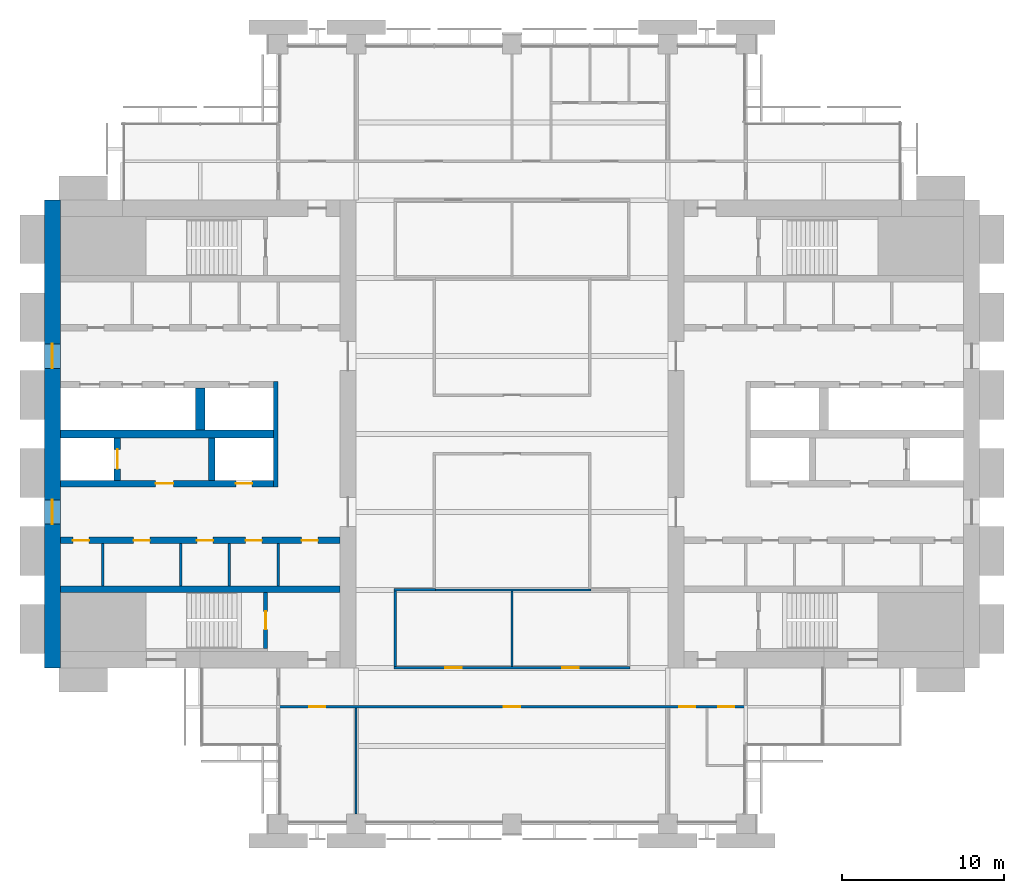
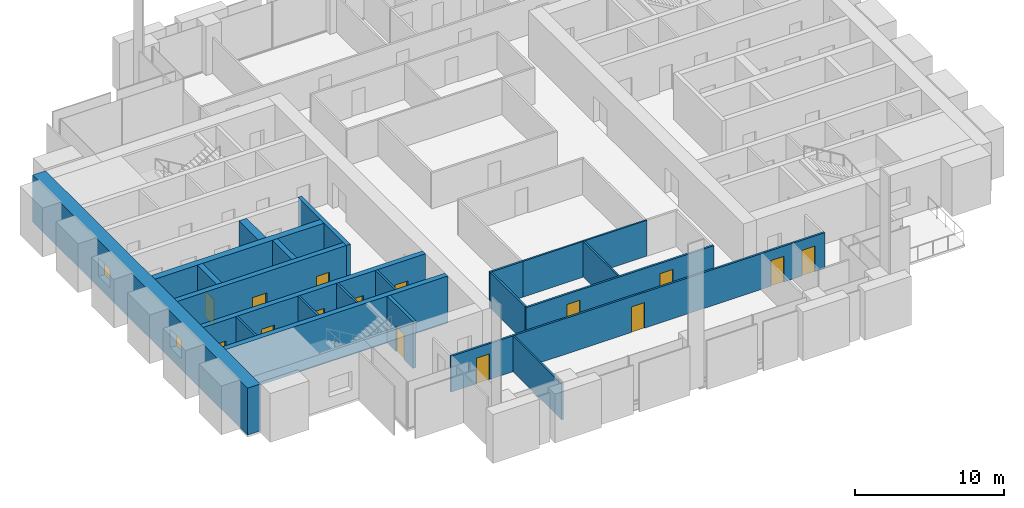
# One storey, part 9 of 14: 21 walls, 15 doors, 2 windows, 17 openings.
"""IFC4 building model written with IfcOpenShell, lengths in metres."""

from ifc_helpers import new_model, si_unit, direction, frame, frame_2d, origin, place, context, subcontext, project, spatial, rectangle, extrude, material, layer, layer_set, type_object, element, fill, save


model = new_model("IFC4")

# Units and contexts
model_context = context("Model", 3, precision=1e-05, world=origin(), true_north=direction((0.0, 1.0)))
body_context = subcontext(model_context, "Body", "Model", "MODEL_VIEW")
ifc_project = project(units=[si_unit("LENGTHUNIT", "METRE"), si_unit("AREAUNIT", "SQUARE_METRE"), si_unit("VOLUMEUNIT", "CUBIC_METRE"), si_unit("PLANEANGLEUNIT", "RADIAN"), si_unit("MASSUNIT", "GRAM", prefix="KILO")], contexts=[model_context])

# Site, building, storey
site_placement = place(None, origin())
site = spatial("IfcSite", under=ifc_project, at=site_placement, CompositionType="ELEMENT")
building_placement = place(site_placement, origin())
building = spatial("IfcBuilding", under=site, at=building_placement, Name="Baori Bourse Tower", CompositionType="ELEMENT")
storey_placement = place(building_placement, frame((0.0, 0.0, 120.10009765625)))
storey = spatial("IfcBuildingStorey", under=building, at=storey_placement, Name="L25", CompositionType="ELEMENT", Elevation=120.10009765625)

# Walls
ifc_material_1 = material(Name="Blockwork partition", Category="masonry")
ifc_layer_1 = layer(ifc_material_1, 0.14990234375)
ifc_layer_set_1 = layer_set([ifc_layer_1], Name="Core partition 150")
wall_type_1 = type_object("IfcWallType", Name="Core partition 150", PredefinedType="PARTITIONING", material=ifc_layer_set_1)
for number, where, z_axis, x_axis, name in (
    (1, (3.60009765625, 14.64990234375, 0.0), (0.0, 0.0, 1.0), (0.0, 1.0, 0.0), "Partition wall W10"),
    (2, (8.39990234375, 14.64990234375, 0.0), (0.0, 0.0, 1.0), (0.0, 1.0, 0.0), "Partition wall W11"),
    (3, (11.39990234375, 14.64990234375, 0.0), (0.0, 0.0, 1.0), (0.0, 1.0, 0.0), "Partition wall W12"),
    (4, (14.39990234375, 14.64990234375, 0.0), (0.0, 0.0, 1.0), (0.0, 1.0, 0.0), "Partition wall W13"),
):
    element("IfcWall", number, at=place(storey_placement, frame(where, z_axis=z_axis, x_axis=x_axis)), inside=storey, type_object=wall_type_1, Name=name, PredefinedType="PARTITIONING", context=body_context, shape_type="SweptSolid", body=[
        extrude(rectangle(XDim=2.60009765625, YDim=0.14990234375, at=frame_2d((1.300048828125, 0.0))), origin(), (0.0, 0.0, 1.0), 3.83984375),
    ])

# Wall, openings, windows
ifc_material_2 = material(Name="Concrete f'c 60 MPa", Category="concrete")
ifc_layer_2 = layer(ifc_material_2, 1.0)
ifc_layer_set_2 = layer_set([ifc_layer_2], Name="Core wall 1000 f'c 60")
wall_type_2 = type_object("IfcWallType", Name="Core wall 1000 f'c 60", PredefinedType="SHEAR", material=ifc_layer_set_2)
wall_1_placement = place(storey_placement, frame((0.5, 9.60009765625, 0.0), z_axis=(0.0, 0.0, 1.0), x_axis=(0.0, 1.0, 0.0)))
wall_1 = element("IfcWall", 5, at=wall_1_placement, inside=storey, type_object=wall_type_2, Name="Core wall W01", PredefinedType="SHEAR", context=body_context, shape_type="SweptSolid", body=[
    extrude(rectangle(XDim=28.7998046875, YDim=1.0, at=frame_2d((14.39990234375, 0.0))), origin(), (0.0, 0.0, 1.0), 3.83984375),
])
opening_1_placement = place(wall_1_placement, frame((8.85009765625, 0.0, 0.89990234375)))
opening_1 = element("IfcOpeningElement", 6, at=opening_1_placement, cuts=wall_1, Name="Opening L25-KW101", PredefinedType="OPENING", context=body_context, shape_type="SweptSolid", body=[
    extrude(rectangle(XDim=1.5, YDim=1.5, at=frame_2d((0.75, 0.75))), frame((0.0, 0.510009765625, 0.0), z_axis=(0.0, -1.0, 0.0), x_axis=(1.0, 0.0, 0.0)), (0.0, 0.0, 1.0), 1.02001953125),
])
opening_2_placement = place(wall_1_placement, frame((18.449951171875, 0.0, 0.89990234375)))
opening_2 = element("IfcOpeningElement", 7, at=opening_2_placement, cuts=wall_1, Name="Opening L25-KW102", PredefinedType="OPENING", context=body_context, shape_type="SweptSolid", body=[
    extrude(rectangle(XDim=1.5, YDim=1.5, at=frame_2d((0.75, 0.75))), frame((0.0, 0.510009765625, 0.0), z_axis=(0.0, -1.0, 0.0), x_axis=(1.0, 0.0, 0.0)), (0.0, 0.0, 1.0), 1.02001953125),
])
ifc_material_3 = material(Name="Pale anodised aluminium", Category="aluminium")
window_type = type_object("IfcWindowType", Name="Lobby window 1500 x 1500", PartitioningType="SINGLE_PANEL", PredefinedType="WINDOW", material=ifc_material_3)
window_1_placement = place(opening_1_placement, origin())
window_1 = element("IfcWindow", 8, at=window_1_placement, inside=storey, type_object=window_type, Name="Outer wall window W L25 1", OverallHeight=1.5, OverallWidth=1.5, PartitioningType="SINGLE_PANEL", PredefinedType="WINDOW", context=body_context, shape_type="SweptSolid", body=[
    extrude(rectangle(XDim=1.5, YDim=1.5, at=frame_2d((0.75, 0.75))), frame((0.0, 0.030029296875, 0.0), z_axis=(0.0, -1.0, 0.0), x_axis=(1.0, 0.0, 0.0)), (0.0, 0.0, 1.0), 0.06005859375),
])
fill(opening_1, window_1)
window_2_placement = place(opening_2_placement, origin())
window_2 = element("IfcWindow", 9, at=window_2_placement, inside=storey, type_object=window_type, Name="Outer wall window W L25 2", OverallHeight=1.5, OverallWidth=1.5, PartitioningType="SINGLE_PANEL", PredefinedType="WINDOW", context=body_context, shape_type="SweptSolid", body=[
    extrude(rectangle(XDim=1.5, YDim=1.5, at=frame_2d((0.75, 0.75))), frame((0.0, 0.030029296875, 0.0), z_axis=(0.0, -1.0, 0.0), x_axis=(1.0, 0.0, 0.0)), (0.0, 0.0, 1.0), 0.06005859375),
])
fill(opening_2, window_2)

# Wall, openings, doors
ifc_material_4 = material(Name="Gypsum board partition")
ifc_layer_3 = layer(ifc_material_4, 0.14990234375)
ifc_layer_set_3 = layer_set([ifc_layer_3], Name="Corridor partition 150")
wall_type_3 = type_object("IfcWallType", Name="Corridor partition 150", PredefinedType="PARTITIONING", material=ifc_layer_set_3)
wall_2_placement = place(storey_placement, frame((14.324951171875, 7.199951171875, 0.0), z_axis=(0.0, 0.0, 1.0), x_axis=(1.0, 0.0, 0.0)))
wall_2 = element("IfcWall", 10, at=wall_2_placement, inside=storey, type_object=wall_type_3, Name="Partition", PredefinedType="PARTITIONING", context=body_context, shape_type="SweptSolid", body=[
    extrude(rectangle(XDim=28.949951171875, YDim=0.14990234375, at=frame_2d((14.47509765625, 0.0))), origin(), (0.0, 0.0, 1.0), 2.935546875),
])
opening_3_placement = place(wall_2_placement, frame((1.97509765625, 0.0, 0.0)))
opening_3 = element("IfcOpeningElement", 11, at=opening_3_placement, cuts=wall_2, Name="Opening L25-D01", PredefinedType="OPENING", context=body_context, shape_type="SweptSolid", body=[
    extrude(rectangle(XDim=1.0, YDim=2.10009765625, at=frame_2d((0.5, 1.050048828125))), frame((0.0, 0.0849609375, 0.0), z_axis=(0.0, -1.0, 0.0), x_axis=(1.0, 0.0, 0.0)), (0.0, 0.0, 1.0), 0.169921875),
])
opening_4_placement = place(wall_2_placement, frame((13.97509765625, 0.0, 0.0)))
opening_4 = element("IfcOpeningElement", 12, at=opening_4_placement, cuts=wall_2, Name="Opening L25-D02", PredefinedType="OPENING", context=body_context, shape_type="SweptSolid", body=[
    extrude(rectangle(XDim=1.0, YDim=2.10009765625, at=frame_2d((0.5, 1.050048828125))), frame((0.0, 0.0849609375, 0.0), z_axis=(0.0, -1.0, 0.0), x_axis=(1.0, 0.0, 0.0)), (0.0, 0.0, 1.0), 0.169921875),
])
opening_5_placement = place(wall_2_placement, frame((24.77490234375, 0.0, 0.0)))
opening_5 = element("IfcOpeningElement", 13, at=opening_5_placement, cuts=wall_2, Name="Opening L25-D03", PredefinedType="OPENING", context=body_context, shape_type="SweptSolid", body=[
    extrude(rectangle(XDim=1.0, YDim=2.10009765625, at=frame_2d((0.5, 1.050048828125))), frame((0.0, 0.0849609375, 0.0), z_axis=(0.0, -1.0, 0.0), x_axis=(1.0, 0.0, 0.0)), (0.0, 0.0, 1.0), 0.169921875),
])
opening_6_placement = place(wall_2_placement, frame((27.175048828125, 0.0, 0.0)))
opening_6 = element("IfcOpeningElement", 14, at=opening_6_placement, cuts=wall_2, Name="Opening L25-D04", PredefinedType="OPENING", context=body_context, shape_type="SweptSolid", body=[
    extrude(rectangle(XDim=1.0, YDim=2.10009765625, at=frame_2d((0.5, 1.050048828125))), frame((0.0, 0.0849609375, 0.0), z_axis=(0.0, -1.0, 0.0), x_axis=(1.0, 0.0, 0.0)), (0.0, 0.0, 1.0), 0.169921875),
])
ifc_material_5 = material(Name="Timber door leaf", Category="wood")
door_type_1 = type_object("IfcDoorType", Name="Door 1000 x 2100", OperationType="SINGLE_SWING_LEFT", PredefinedType="DOOR", material=ifc_material_5)
door_1_placement = place(opening_3_placement, origin())
door_1 = element("IfcDoor", 15, at=door_1_placement, inside=storey, type_object=door_type_1, Name="Door", OperationType="SINGLE_SWING_LEFT", OverallHeight=2.10009765625, OverallWidth=1.0, PredefinedType="DOOR", context=body_context, shape_type="SweptSolid", body=[
    extrude(rectangle(XDim=1.0, YDim=2.10009765625, at=frame_2d((0.5, 1.050048828125))), frame((0.0, 0.02490234375, 0.0), z_axis=(0.0, -1.0, 0.0), x_axis=(1.0, 0.0, 0.0)), (0.0, 0.0, 1.0), 0.050048828125),
])
fill(opening_3, door_1)
door_2_placement = place(opening_4_placement, origin())
door_2 = element("IfcDoor", 16, at=door_2_placement, inside=storey, type_object=door_type_1, Name="Door", OperationType="SINGLE_SWING_RIGHT", OverallHeight=2.10009765625, OverallWidth=1.0, PredefinedType="DOOR", context=body_context, shape_type="SweptSolid", body=[
    extrude(rectangle(XDim=1.0, YDim=2.10009765625, at=frame_2d((0.5, 1.050048828125))), frame((0.0, 0.02490234375, 0.0), z_axis=(0.0, -1.0, 0.0), x_axis=(1.0, 0.0, 0.0)), (0.0, 0.0, 1.0), 0.050048828125),
])
fill(opening_4, door_2)
door_3_placement = place(opening_5_placement, origin())
door_3 = element("IfcDoor", 17, at=door_3_placement, inside=storey, type_object=door_type_1, Name="Door", OperationType="SINGLE_SWING_RIGHT", OverallHeight=2.10009765625, OverallWidth=1.0, PredefinedType="DOOR", context=body_context, shape_type="SweptSolid", body=[
    extrude(rectangle(XDim=1.0, YDim=2.10009765625, at=frame_2d((0.5, 1.050048828125))), frame((0.0, 0.02490234375, 0.0), z_axis=(0.0, -1.0, 0.0), x_axis=(1.0, 0.0, 0.0)), (0.0, 0.0, 1.0), 0.050048828125),
])
fill(opening_5, door_3)
door_4_placement = place(opening_6_placement, origin())
door_4 = element("IfcDoor", 18, at=door_4_placement, inside=storey, type_object=door_type_1, Name="Door", OperationType="SINGLE_SWING_RIGHT", OverallHeight=2.10009765625, OverallWidth=1.0, PredefinedType="DOOR", context=body_context, shape_type="SweptSolid", body=[
    extrude(rectangle(XDim=1.0, YDim=2.10009765625, at=frame_2d((0.5, 1.050048828125))), frame((0.0, 0.02490234375, 0.0), z_axis=(0.0, -1.0, 0.0), x_axis=(1.0, 0.0, 0.0)), (0.0, 0.0, 1.0), 0.050048828125),
])
fill(opening_6, door_4)

wall_3_placement = place(storey_placement, frame((21.52490234375, 9.60009765625, 0.0), z_axis=(0.0, 0.0, 1.0), x_axis=(1.0, 0.0, 0.0)))
wall_3 = element("IfcWall", 19, at=wall_3_placement, inside=storey, type_object=wall_type_3, Name="Partition", PredefinedType="PARTITIONING", context=body_context, shape_type="SweptSolid", body=[
    extrude(rectangle(XDim=14.550048828125, YDim=0.14990234375, at=frame_2d((7.27490234375, 0.0))), origin(), (0.0, 0.0, 1.0), 2.935546875),
])
opening_7_placement = place(wall_3_placement, frame((3.175048828125, 0.0, 0.0)))
opening_7 = element("IfcOpeningElement", 20, at=opening_7_placement, cuts=wall_3, Name="Opening L25-D05", PredefinedType="OPENING", context=body_context, shape_type="SweptSolid", body=[
    extrude(rectangle(XDim=1.0, YDim=2.10009765625, at=frame_2d((0.5, 1.050048828125))), frame((0.0, 0.0849609375, 0.0), z_axis=(0.0, -1.0, 0.0), x_axis=(1.0, 0.0, 0.0)), (0.0, 0.0, 1.0), 0.169921875),
])
opening_8_placement = place(wall_3_placement, frame((10.375, 0.0, 0.0)))
opening_8 = element("IfcOpeningElement", 21, at=opening_8_placement, cuts=wall_3, Name="Opening L25-D06", PredefinedType="OPENING", context=body_context, shape_type="SweptSolid", body=[
    extrude(rectangle(XDim=1.0, YDim=2.10009765625, at=frame_2d((0.5, 1.050048828125))), frame((0.0, 0.0849609375, 0.0), z_axis=(0.0, -1.0, 0.0), x_axis=(1.0, 0.0, 0.0)), (0.0, 0.0, 1.0), 0.169921875),
])
door_5_placement = place(opening_7_placement, origin())
door_5 = element("IfcDoor", 22, at=door_5_placement, inside=storey, type_object=door_type_1, Name="Door", OperationType="SINGLE_SWING_RIGHT", OverallHeight=2.10009765625, OverallWidth=1.0, PredefinedType="DOOR", context=body_context, shape_type="SweptSolid", body=[
    extrude(rectangle(XDim=1.0, YDim=2.10009765625, at=frame_2d((0.5, 1.050048828125))), frame((0.0, 0.02490234375, 0.0), z_axis=(0.0, -1.0, 0.0), x_axis=(1.0, 0.0, 0.0)), (0.0, 0.0, 1.0), 0.050048828125),
])
fill(opening_7, door_5)
door_6_placement = place(opening_8_placement, origin())
door_6 = element("IfcDoor", 23, at=door_6_placement, inside=storey, type_object=door_type_1, Name="Door", OperationType="SINGLE_SWING_LEFT", OverallHeight=2.10009765625, OverallWidth=1.0, PredefinedType="DOOR", context=body_context, shape_type="SweptSolid", body=[
    extrude(rectangle(XDim=1.0, YDim=2.10009765625, at=frame_2d((0.5, 1.050048828125))), frame((0.0, 0.02490234375, 0.0), z_axis=(0.0, -1.0, 0.0), x_axis=(1.0, 0.0, 0.0)), (0.0, 0.0, 1.0), 0.050048828125),
])
fill(opening_8, door_6)

# Walls
wall_4_placement = place(storey_placement, frame((21.52490234375, 14.39990234375, 0.0), z_axis=(0.0, 0.0, 1.0), x_axis=(1.0, 0.0, 0.0)))
element("IfcWall", 24, at=wall_4_placement, inside=storey, type_object=wall_type_3, Name="Partition", PredefinedType="PARTITIONING", context=body_context, shape_type="SweptSolid", body=[
    extrude(rectangle(XDim=2.550048828125, YDim=0.14990234375, at=frame_2d((1.27490234375, 0.0))), origin(), (0.0, 0.0, 1.0), 2.935546875),
])
wall_5_placement = place(storey_placement, frame((21.60009765625, 9.675048828125, 0.0), z_axis=(0.0, 0.0, 1.0), x_axis=(0.0, 1.0, 0.0)))
element("IfcWall", 25, at=wall_5_placement, inside=storey, type_object=wall_type_3, Name="Partition", PredefinedType="PARTITIONING", context=body_context, shape_type="SweptSolid", body=[
    extrude(rectangle(XDim=4.64990234375, YDim=0.14990234375, at=frame_2d((2.324951171875, 0.0))), origin(), (0.0, 0.0, 1.0), 2.935546875),
])
ifc_material_6 = material(Name="Gypsum board partition")
ifc_layer_4 = layer(ifc_material_6, 0.125)
ifc_layer_set_4 = layer_set([ifc_layer_4], Name="Partition 125")
wall_type_4 = type_object("IfcWallType", Name="Partition 125", PredefinedType="PARTITIONING", material=ifc_layer_set_4)
wall_6_placement = place(storey_placement, frame((24.074951171875, 14.39990234375, 0.0), z_axis=(0.0, 0.0, 1.0), x_axis=(1.0, 0.0, 0.0)))
element("IfcWall", 26, at=wall_6_placement, inside=storey, type_object=wall_type_4, Name="Partition", PredefinedType="PARTITIONING", context=body_context, shape_type="SweptSolid", body=[
    extrude(rectangle(XDim=9.60009765625, YDim=0.125, at=frame_2d((4.800048828125, 0.0))), origin(), (0.0, 0.0, 1.0), 2.935546875),
])
wall_7_placement = place(storey_placement, frame((19.199951171875, 0.60009765625, 0.0), z_axis=(0.0, 0.0, 1.0), x_axis=(0.0, 1.0, 0.0)))
element("IfcWall", 27, at=wall_7_placement, inside=storey, type_object=wall_type_4, Name="Partition", PredefinedType="PARTITIONING", context=body_context, shape_type="SweptSolid", body=[
    extrude(rectangle(XDim=6.52490234375, YDim=0.125, at=frame_2d((3.262451171875, 0.0))), origin(), (0.0, 0.0, 1.0), 2.935546875),
])
wall_8_placement = place(storey_placement, frame((28.800048828125, 9.675048828125, 0.0), z_axis=(0.0, 0.0, 1.0), x_axis=(0.0, 1.0, 0.0)))
element("IfcWall", 28, at=wall_8_placement, inside=storey, type_object=wall_type_4, Name="Partition", PredefinedType="PARTITIONING", context=body_context, shape_type="SweptSolid", body=[
    extrude(rectangle(XDim=4.662353515625, YDim=0.125, at=frame_2d((2.3310546875, 0.0))), origin(), (0.0, 0.0, 1.0), 2.935546875),
])

# Wall, opening, door
ifc_material_7 = material(Name="Concrete f'c 60 MPa", Category="concrete")
ifc_layer_5 = layer(ifc_material_7, 0.25)
ifc_layer_set_5 = layer_set([ifc_layer_5], Name="Shaft wall 250 f'c 60")
wall_type_5 = type_object("IfcWallType", Name="Shaft wall 250 f'c 60", PredefinedType="SHEAR", material=ifc_layer_set_5)
wall_9_placement = place(storey_placement, frame((13.625, 10.800048828125, 0.0), z_axis=(0.0, 0.0, 1.0), x_axis=(0.0, 1.0, 0.0)))
wall_9 = element("IfcWall", 29, at=wall_9_placement, inside=storey, type_object=wall_type_5, Name="Core wall W08", PredefinedType="SHEAR", context=body_context, shape_type="SweptSolid", body=[
    extrude(rectangle(XDim=3.449951171875, YDim=0.25, at=frame_2d((1.72509765625, 0.0))), origin(), (0.0, 0.0, 1.0), 3.83984375),
])
opening_9_placement = place(wall_9_placement, frame((1.175048828125, 0.0, 0.0)))
opening_9 = element("IfcOpeningElement", 30, at=opening_9_placement, cuts=wall_9, Name="Opening L25-D101", PredefinedType="OPENING", context=body_context, shape_type="SweptSolid", body=[
    extrude(rectangle(XDim=1.10009765625, YDim=2.10009765625, at=frame_2d((0.550048828125, 1.050048828125))), frame((0.0, 0.135009765625, 0.0), z_axis=(0.0, -1.0, 0.0), x_axis=(1.0, 0.0, 0.0)), (0.0, 0.0, 1.0), 0.27001953125),
])
ifc_material_8 = material(Name="Painted steel door", Category="steel")
door_type_2 = type_object("IfcDoorType", Name="Stair door 1100", OperationType="SINGLE_SWING_LEFT", PredefinedType="DOOR", material=ifc_material_8)
door_7_placement = place(opening_9_placement, origin())
door_7 = element("IfcDoor", 31, at=door_7_placement, inside=storey, type_object=door_type_2, Name="Stair door A W L25", OperationType="SINGLE_SWING_LEFT", OverallHeight=2.10009765625, OverallWidth=1.10009765625, PredefinedType="DOOR", context=body_context, shape_type="SweptSolid", body=[
    extrude(rectangle(XDim=1.10009765625, YDim=2.10009765625, at=frame_2d((0.550048828125, 1.050048828125))), frame((0.0, 0.02490234375, 0.0), z_axis=(0.0, -1.0, 0.0), x_axis=(1.0, 0.0, 0.0)), (0.0, 0.0, 1.0), 0.050048828125),
])
fill(opening_9, door_7)

# Walls
ifc_material_9 = material(Name="Concrete f'c 60 MPa", Category="concrete")
ifc_layer_6 = layer(ifc_material_9, 0.300048828125)
ifc_layer_set_6 = layer_set([ifc_layer_6], Name="Shaft wall 300 f'c 60")
wall_type_6 = type_object("IfcWallType", Name="Shaft wall 300 f'c 60", PredefinedType="SHEAR", material=ifc_layer_set_6)
wall_10_placement = place(storey_placement, frame((14.25, 20.75, 0.0), z_axis=(0.0, 0.0, 1.0), x_axis=(0.0, 1.0, 0.0)))
element("IfcWall", 32, at=wall_10_placement, inside=storey, type_object=wall_type_6, Name="Core wall W16", PredefinedType="SHEAR", context=body_context, shape_type="SweptSolid", body=[
    extrude(rectangle(XDim=6.5, YDim=0.300048828125, at=frame_2d((3.25, 0.0))), origin(), (0.0, 0.0, 1.0), 3.83984375),
])
ifc_material_10 = material(Name="Concrete f'c 60 MPa", Category="concrete")
ifc_layer_7 = layer(ifc_material_10, 0.39990234375)
ifc_layer_set_7 = layer_set([ifc_layer_7], Name="Shaft wall 400 f'c 60")
wall_type_7 = type_object("IfcWallType", Name="Shaft wall 400 f'c 60", PredefinedType="SHEAR", material=ifc_layer_set_7)
wall_11_placement = place(storey_placement, frame((1.0, 14.449951171875, 0.0), z_axis=(0.0, 0.0, 1.0), x_axis=(1.0, 0.0, 0.0)))
element("IfcWall", 33, at=wall_11_placement, inside=storey, type_object=wall_type_7, Name="Core wall W09", PredefinedType="SHEAR", context=body_context, shape_type="SweptSolid", body=[
    extrude(rectangle(XDim=17.199951171875, YDim=0.39990234375, at=frame_2d((8.60009765625, 0.0))), origin(), (0.0, 0.0, 1.0), 3.83984375),
])

# Wall, openings, doors
wall_12_placement = place(storey_placement, frame((1.0, 17.449951171875, 0.0), z_axis=(0.0, 0.0, 1.0), x_axis=(1.0, 0.0, 0.0)))
wall_12 = element("IfcWall", 34, at=wall_12_placement, inside=storey, type_object=wall_type_7, Name="Core wall W14", PredefinedType="SHEAR", context=body_context, shape_type="SweptSolid", body=[
    extrude(rectangle(XDim=17.199951171875, YDim=0.39990234375, at=frame_2d((8.60009765625, 0.0))), origin(), (0.0, 0.0, 1.0), 3.83984375),
])
opening_10_placement = place(wall_12_placement, frame((0.762451171875, 0.0, 0.0)))
opening_10 = element("IfcOpeningElement", 35, at=opening_10_placement, cuts=wall_12, Name="Opening L25-D114", PredefinedType="OPENING", context=body_context, shape_type="SweptSolid", body=[
    extrude(rectangle(XDim=1.0, YDim=2.10009765625, at=frame_2d((0.5, 1.050048828125))), frame((0.0, 0.2099609375, 0.0), z_axis=(0.0, -1.0, 0.0), x_axis=(1.0, 0.0, 0.0)), (0.0, 0.0, 1.0), 0.419921875),
])
opening_11_placement = place(wall_12_placement, frame((4.5, 0.0, 0.0)))
opening_11 = element("IfcOpeningElement", 36, at=opening_11_placement, cuts=wall_12, Name="Opening L25-D115", PredefinedType="OPENING", context=body_context, shape_type="SweptSolid", body=[
    extrude(rectangle(XDim=1.0, YDim=2.10009765625, at=frame_2d((0.5, 1.050048828125))), frame((0.0, 0.2099609375, 0.0), z_axis=(0.0, -1.0, 0.0), x_axis=(1.0, 0.0, 0.0)), (0.0, 0.0, 1.0), 0.419921875),
])
opening_12_placement = place(wall_12_placement, frame((8.39990234375, 0.0, 0.0)))
opening_12 = element("IfcOpeningElement", 37, at=opening_12_placement, cuts=wall_12, Name="Opening L25-D116", PredefinedType="OPENING", context=body_context, shape_type="SweptSolid", body=[
    extrude(rectangle(XDim=1.0, YDim=2.10009765625, at=frame_2d((0.5, 1.050048828125))), frame((0.0, 0.2099609375, 0.0), z_axis=(0.0, -1.0, 0.0), x_axis=(1.0, 0.0, 0.0)), (0.0, 0.0, 1.0), 0.419921875),
])
opening_13_placement = place(wall_12_placement, frame((11.39990234375, 0.0, 0.0)))
opening_13 = element("IfcOpeningElement", 38, at=opening_13_placement, cuts=wall_12, Name="Opening L25-D117", PredefinedType="OPENING", context=body_context, shape_type="SweptSolid", body=[
    extrude(rectangle(XDim=1.0, YDim=2.10009765625, at=frame_2d((0.5, 1.050048828125))), frame((0.0, 0.2099609375, 0.0), z_axis=(0.0, -1.0, 0.0), x_axis=(1.0, 0.0, 0.0)), (0.0, 0.0, 1.0), 0.419921875),
])
opening_14_placement = place(wall_12_placement, frame((14.83740234375, 0.0, 0.0)))
opening_14 = element("IfcOpeningElement", 39, at=opening_14_placement, cuts=wall_12, Name="Opening L25-D118", PredefinedType="OPENING", context=body_context, shape_type="SweptSolid", body=[
    extrude(rectangle(XDim=1.0, YDim=2.10009765625, at=frame_2d((0.5, 1.050048828125))), frame((0.0, 0.2099609375, 0.0), z_axis=(0.0, -1.0, 0.0), x_axis=(1.0, 0.0, 0.0)), (0.0, 0.0, 1.0), 0.419921875),
])
ifc_material_11 = material(Name="Painted steel door", Category="steel")
door_type_3 = type_object("IfcDoorType", Name="Core door 1000", OperationType="SINGLE_SWING_LEFT", PredefinedType="DOOR", material=ifc_material_11)
door_8_placement = place(opening_11_placement, origin())
door_8 = element("IfcDoor", 40, at=door_8_placement, inside=storey, type_object=door_type_3, Name="Men'S Wc door W L25", OperationType="SINGLE_SWING_LEFT", OverallHeight=2.10009765625, OverallWidth=1.0, PredefinedType="DOOR", context=body_context, shape_type="SweptSolid", body=[
    extrude(rectangle(XDim=1.0, YDim=2.10009765625, at=frame_2d((0.5, 1.050048828125))), frame((0.0, 0.02490234375, 0.0), z_axis=(0.0, -1.0, 0.0), x_axis=(1.0, 0.0, 0.0)), (0.0, 0.0, 1.0), 0.050048828125),
])
fill(opening_11, door_8)
door_9_placement = place(opening_12_placement, origin())
door_9 = element("IfcDoor", 41, at=door_9_placement, inside=storey, type_object=door_type_3, Name="Accessible Wc door W L25", OperationType="SINGLE_SWING_LEFT", OverallHeight=2.10009765625, OverallWidth=1.0, PredefinedType="DOOR", context=body_context, shape_type="SweptSolid", body=[
    extrude(rectangle(XDim=1.0, YDim=2.10009765625, at=frame_2d((0.5, 1.050048828125))), frame((0.0, 0.02490234375, 0.0), z_axis=(0.0, -1.0, 0.0), x_axis=(1.0, 0.0, 0.0)), (0.0, 0.0, 1.0), 0.050048828125),
])
fill(opening_12, door_9)
door_10_placement = place(opening_14_placement, origin())
door_10 = element("IfcDoor", 42, at=door_10_placement, inside=storey, type_object=door_type_3, Name="Women'S Wc door W L25", OperationType="SINGLE_SWING_LEFT", OverallHeight=2.10009765625, OverallWidth=1.0, PredefinedType="DOOR", context=body_context, shape_type="SweptSolid", body=[
    extrude(rectangle(XDim=1.0, YDim=2.10009765625, at=frame_2d((0.5, 1.050048828125))), frame((0.0, 0.02490234375, 0.0), z_axis=(0.0, -1.0, 0.0), x_axis=(1.0, 0.0, 0.0)), (0.0, 0.0, 1.0), 0.050048828125),
])
fill(opening_14, door_10)
ifc_material_12 = material(Name="Painted steel door", Category="steel")
door_type_4 = type_object("IfcDoorType", Name="Plant room door 1000", OperationType="SINGLE_SWING_LEFT", PredefinedType="DOOR", material=ifc_material_12)
door_11_placement = place(opening_10_placement, origin())
door_11 = element("IfcDoor", 43, at=door_11_placement, inside=storey, type_object=door_type_4, Name="Communications Room door W L25", OperationType="SINGLE_SWING_LEFT", OverallHeight=2.10009765625, OverallWidth=1.0, PredefinedType="DOOR", context=body_context, shape_type="SweptSolid", body=[
    extrude(rectangle(XDim=1.0, YDim=2.10009765625, at=frame_2d((0.5, 1.050048828125))), frame((0.0, 0.02490234375, 0.0), z_axis=(0.0, -1.0, 0.0), x_axis=(1.0, 0.0, 0.0)), (0.0, 0.0, 1.0), 0.050048828125),
])
fill(opening_10, door_11)
door_12_placement = place(opening_13_placement, origin())
door_12 = element("IfcDoor", 44, at=door_12_placement, inside=storey, type_object=door_type_4, Name="Communications Room door W L25", OperationType="SINGLE_SWING_LEFT", OverallHeight=2.10009765625, OverallWidth=1.0, PredefinedType="DOOR", context=body_context, shape_type="SweptSolid", body=[
    extrude(rectangle(XDim=1.0, YDim=2.10009765625, at=frame_2d((0.5, 1.050048828125))), frame((0.0, 0.02490234375, 0.0), z_axis=(0.0, -1.0, 0.0), x_axis=(1.0, 0.0, 0.0)), (0.0, 0.0, 1.0), 0.050048828125),
])
fill(opening_13, door_12)

wall_13_placement = place(storey_placement, frame((1.0, 20.949951171875, 0.0), z_axis=(0.0, 0.0, 1.0), x_axis=(1.0, 0.0, 0.0)))
wall_13 = element("IfcWall", 45, at=wall_13_placement, inside=storey, type_object=wall_type_7, Name="Core wall W15", PredefinedType="SHEAR", context=body_context, shape_type="SweptSolid", body=[
    extrude(rectangle(XDim=13.10009765625, YDim=0.39990234375, at=frame_2d((6.550048828125, 0.0))), origin(), (0.0, 0.0, 1.0), 3.83984375),
])
opening_15_placement = place(wall_13_placement, frame((5.85009765625, 0.0, 0.0)))
opening_15 = element("IfcOpeningElement", 46, at=opening_15_placement, cuts=wall_13, Name="Opening L25-D105", PredefinedType="OPENING", context=body_context, shape_type="SweptSolid", body=[
    extrude(rectangle(XDim=1.10009765625, YDim=2.10009765625, at=frame_2d((0.550048828125, 1.050048828125))), frame((0.0, 0.2099609375, 0.0), z_axis=(0.0, -1.0, 0.0), x_axis=(1.0, 0.0, 0.0)), (0.0, 0.0, 1.0), 0.419921875),
])
opening_16_placement = place(wall_13_placement, frame((10.800048828125, 0.0, 0.0)))
opening_16 = element("IfcOpeningElement", 47, at=opening_16_placement, cuts=wall_13, Name="Opening L25-D106", PredefinedType="OPENING", context=body_context, shape_type="SweptSolid", body=[
    extrude(rectangle(XDim=1.0, YDim=2.10009765625, at=frame_2d((0.5, 1.050048828125))), frame((0.0, 0.2099609375, 0.0), z_axis=(0.0, -1.0, 0.0), x_axis=(1.0, 0.0, 0.0)), (0.0, 0.0, 1.0), 0.419921875),
])
ifc_material_13 = material(Name="Painted steel door", Category="steel")
door_type_5 = type_object("IfcDoorType", Name="Lobby door 1100", OperationType="SINGLE_SWING_LEFT", PredefinedType="DOOR", material=ifc_material_13)
door_13_placement = place(opening_15_placement, origin())
door_13 = element("IfcDoor", 48, at=door_13_placement, inside=storey, type_object=door_type_5, Name="Firefighting lobby door W L25", OperationType="SINGLE_SWING_LEFT", OverallHeight=2.10009765625, OverallWidth=1.10009765625, PredefinedType="DOOR", context=body_context, shape_type="SweptSolid", body=[
    extrude(rectangle(XDim=1.10009765625, YDim=2.10009765625, at=frame_2d((0.550048828125, 1.050048828125))), frame((0.0, 0.02490234375, 0.0), z_axis=(0.0, -1.0, 0.0), x_axis=(1.0, 0.0, 0.0)), (0.0, 0.0, 1.0), 0.050048828125),
])
fill(opening_15, door_13)
ifc_material_14 = material(Name="Painted steel door", Category="steel")
door_type_6 = type_object("IfcDoorType", Name="Shaft door 1000", OperationType="SINGLE_SWING_LEFT", PredefinedType="DOOR", material=ifc_material_14)
door_14_placement = place(opening_16_placement, origin())
door_14 = element("IfcDoor", 49, at=door_14_placement, inside=storey, type_object=door_type_6, Name="Riser room door W L25", OperationType="SINGLE_SWING_LEFT", OverallHeight=2.10009765625, OverallWidth=1.0, PredefinedType="DOOR", context=body_context, shape_type="SweptSolid", body=[
    extrude(rectangle(XDim=1.0, YDim=2.10009765625, at=frame_2d((0.5, 1.050048828125))), frame((0.0, 0.02490234375, 0.0), z_axis=(0.0, -1.0, 0.0), x_axis=(1.0, 0.0, 0.0)), (0.0, 0.0, 1.0), 0.050048828125),
])
fill(opening_16, door_14)

# Wall, opening, door
wall_14_placement = place(storey_placement, frame((4.5, 21.14990234375, 0.0), z_axis=(0.0, 0.0, 1.0), x_axis=(0.0, 1.0, 0.0)))
wall_14 = element("IfcWall", 50, at=wall_14_placement, inside=storey, type_object=wall_type_7, Name="Core wall W17", PredefinedType="SHEAR", context=body_context, shape_type="SweptSolid", body=[
    extrude(rectangle(XDim=2.60009765625, YDim=0.39990234375, at=frame_2d((1.300048828125, 0.0))), origin(), (0.0, 0.0, 1.0), 3.83984375),
])
opening_17_placement = place(wall_14_placement, frame((0.699951171875, 0.0, 0.0)))
opening_17 = element("IfcOpeningElement", 51, at=opening_17_placement, cuts=wall_14, Name="Opening L25-D123", PredefinedType="OPENING", context=body_context, shape_type="SweptSolid", body=[
    extrude(rectangle(XDim=1.199951171875, YDim=2.10009765625, at=frame_2d((0.60009765625, 1.050048828125))), frame((0.0, 0.2099609375, 0.0), z_axis=(0.0, -1.0, 0.0), x_axis=(1.0, 0.0, 0.0)), (0.0, 0.0, 1.0), 0.419921875),
])
ifc_material_15 = material(Name="Stainless steel door", Category="steel")
door_type_7 = type_object("IfcDoorType", Name="Lift landing door", OperationType="DOUBLE_DOOR_SLIDING", PredefinedType="DOOR", material=ifc_material_15)
door_15_placement = place(opening_17_placement, origin())
door_15 = element("IfcDoor", 52, at=door_15_placement, inside=storey, type_object=door_type_7, Name="Lift landing door FF1 W L25", OperationType="DOUBLE_DOOR_SLIDING", OverallHeight=2.10009765625, OverallWidth=1.199951171875, PredefinedType="DOOR", context=body_context, shape_type="SweptSolid", body=[
    extrude(rectangle(XDim=1.199951171875, YDim=2.10009765625, at=frame_2d((0.60009765625, 1.050048828125))), frame((0.0, 0.02490234375, 0.0), z_axis=(0.0, -1.0, 0.0), x_axis=(1.0, 0.0, 0.0)), (0.0, 0.0, 1.0), 0.050048828125),
])
fill(opening_17, door_15)

# Walls
wall_15_placement = place(storey_placement, frame((10.300048828125, 21.14990234375, 0.0), z_axis=(0.0, 0.0, 1.0), x_axis=(0.0, 1.0, 0.0)))
element("IfcWall", 53, at=wall_15_placement, inside=storey, type_object=wall_type_7, Name="Core wall W18", PredefinedType="SHEAR", context=body_context, shape_type="SweptSolid", body=[
    extrude(rectangle(XDim=2.60009765625, YDim=0.39990234375, at=frame_2d((1.300048828125, 0.0))), origin(), (0.0, 0.0, 1.0), 3.83984375),
])
ifc_material_16 = material(Name="Concrete f'c 60 MPa", Category="concrete")
ifc_layer_8 = layer(ifc_material_16, 0.5)
ifc_layer_set_8 = layer_set([ifc_layer_8], Name="Shaft wall 500 f'c 60")
wall_type_8 = type_object("IfcWallType", Name="Shaft wall 500 f'c 60", PredefinedType="SHEAR", material=ifc_layer_set_8)
wall_16_placement = place(storey_placement, frame((1.0, 24.0, 0.0), z_axis=(0.0, 0.0, 1.0), x_axis=(1.0, 0.0, 0.0)))
element("IfcWall", 54, at=wall_16_placement, inside=storey, type_object=wall_type_8, Name="Core wall W19", PredefinedType="SHEAR", context=body_context, shape_type="SweptSolid", body=[
    extrude(rectangle(XDim=13.10009765625, YDim=0.5, at=frame_2d((6.550048828125, 0.0))), origin(), (0.0, 0.0, 1.0), 3.83984375),
])
ifc_material_17 = material(Name="Concrete f'c 60 MPa", Category="concrete")
ifc_layer_9 = layer(ifc_material_17, 0.60009765625)
ifc_layer_set_9 = layer_set([ifc_layer_9], Name="Shaft wall 600 f'c 60")
wall_type_9 = type_object("IfcWallType", Name="Shaft wall 600 f'c 60", PredefinedType="SHEAR", material=ifc_layer_set_9)
wall_17_placement = place(storey_placement, frame((9.60009765625, 24.25, 0.0), z_axis=(0.0, 0.0, 1.0), x_axis=(0.0, 1.0, 0.0)))
element("IfcWall", 55, at=wall_17_placement, inside=storey, type_object=wall_type_9, Name="Core wall W20", PredefinedType="SHEAR", context=body_context, shape_type="SweptSolid", body=[
    extrude(rectangle(XDim=2.60009765625, YDim=0.60009765625, at=frame_2d((1.300048828125, 0.0))), origin(), (0.0, 0.0, 1.0), 3.83984375),
])

save(model, "model.ifc")
